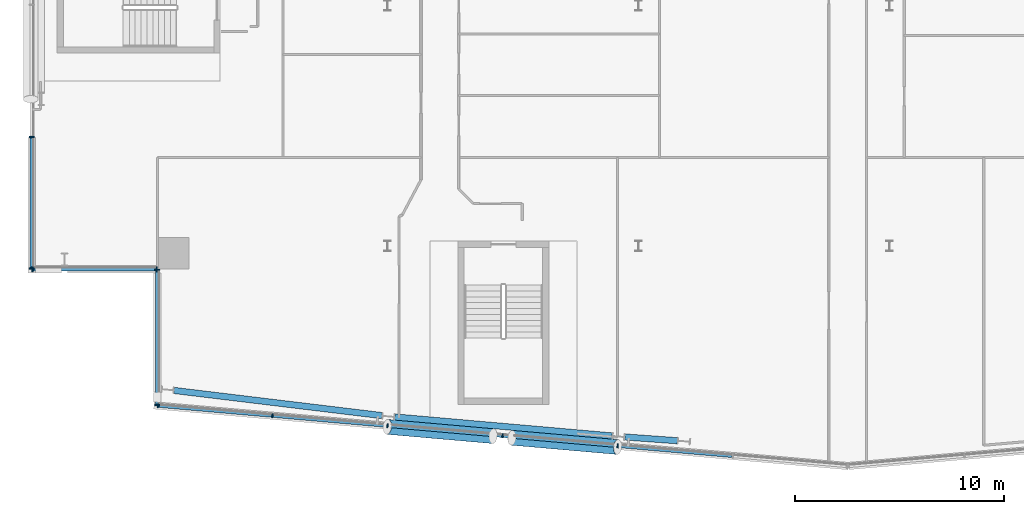
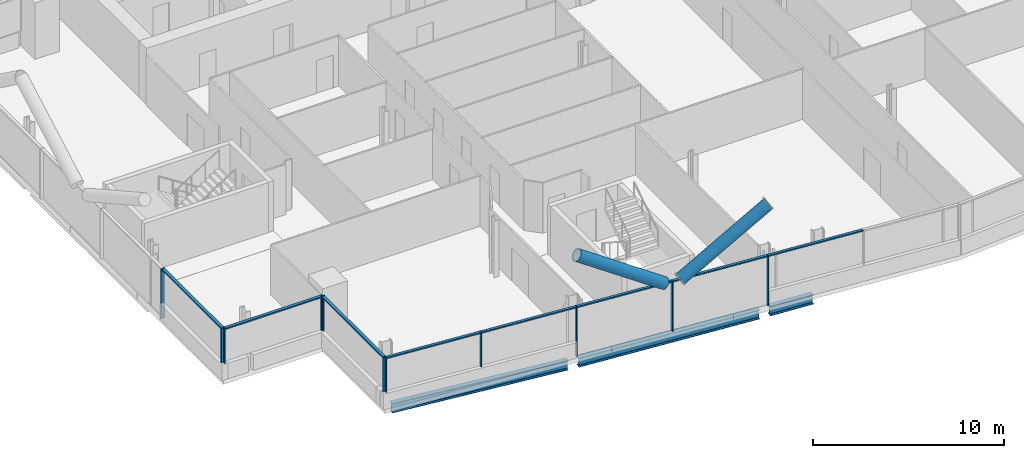
# One storey, part 6 of 26: 21 members, 3 beams, 4 elements without a shape of their own.
"""IFC4 building model written with IfcOpenShell, lengths in metres."""

from ifc_helpers import new_model, si_unit, direction, frame, origin, origin_2d, place, context, subcontext, project, spatial, rectangle, hollow_circle, i_section, extrude, material, material_profile, profile_set, type_object, element, aggregate, save


model = new_model("IFC4")

# Units and contexts
model_context = context("Model", 3, precision=1e-05, world=origin(), true_north=direction((0.0, 1.0)))
body_context = subcontext(model_context, "Body", "Model", "MODEL_VIEW")
ifc_project = project(units=[si_unit("LENGTHUNIT", "METRE"), si_unit("AREAUNIT", "SQUARE_METRE"), si_unit("VOLUMEUNIT", "CUBIC_METRE"), si_unit("PLANEANGLEUNIT", "RADIAN"), si_unit("MASSUNIT", "GRAM", prefix="KILO")], contexts=[model_context])

# Site, building, storey
site_placement = place(None, origin())
site = spatial("IfcSite", under=ifc_project, at=site_placement, CompositionType="ELEMENT")
building_placement = place(site_placement, origin())
building = spatial("IfcBuilding", under=site, at=building_placement, Name="Wharfspan Tower", CompositionType="ELEMENT")
storey_placement = place(building_placement, frame((0.0, 0.0, 173.5)))
storey = spatial("IfcBuildingStorey", under=building, at=storey_placement, Name="L42", CompositionType="ELEMENT", Elevation=173.5)

# Beams
ifc_material_1 = material(Name="Steel S355J2", Category="steel")
ifc_material_profile_1 = material_profile(ifc_material_1, i_section(OverallWidth=0.300049, OverallDepth=0.600098, WebThickness=0.015381, FlangeThickness=0.030029, FilletRadius=0.0271, at=origin_2d()))
ifc_profile_set_1 = profile_set([ifc_material_profile_1], Name="Steel S355J2")
beam_type = type_object("IfcBeamType", Name="Edge beam HEB 600", PredefinedType="SPANDREL", material=ifc_profile_set_1)
beam_1_placement = place(storey_placement, frame((13.794678, 4.600586, -0.699951), z_axis=(0.992758, -0.12013, 0.0), x_axis=(0.12013, 0.992758, 0.0)))
element("IfcBeam", 1, at=beam_1_placement, inside=storey, type_object=beam_type, Name="Edge beam S1 L42 PS1.1 to PS1.2", PredefinedType="SPANDREL", context=body_context, shape_type="SweptSolid", body=[
    extrude(i_section(OverallWidth=0.300049, OverallDepth=0.600098, WebThickness=0.015381, FlangeThickness=0.030029, FilletRadius=0.0271, at=origin_2d()), origin(), (0.0, 0.0, 1.0), 10.013184),
])
beam_2_placement = place(storey_placement, frame((24.343994, 3.334229, -0.699951), z_axis=(0.996196, -0.087146, 0.0), x_axis=(0.087146, 0.996196, 0.0)))
element("IfcBeam", 2, at=beam_2_placement, inside=storey, type_object=beam_type, Name="Edge beam S1 L42 PS1.2 to PS1.3", PredefinedType="SPANDREL", context=body_context, shape_type="SweptSolid", body=[
    extrude(i_section(OverallWidth=0.300049, OverallDepth=0.600098, WebThickness=0.015381, FlangeThickness=0.030029, FilletRadius=0.0271, at=origin_2d()), origin(), (0.0, 0.0, 1.0), 10.430176),
])
beam_3_placement = place(storey_placement, frame((35.344482, 2.376709, -0.699951), z_axis=(0.997423, -0.07175, 0.0), x_axis=(0.07175, 0.997423, 0.0)))
element("IfcBeam", 3, at=beam_3_placement, inside=storey, type_object=beam_type, Name="Edge beam S1 L42 PS1.3 to PS1.4", PredefinedType="SPANDREL", context=body_context, shape_type="SweptSolid", body=[
    extrude(i_section(OverallWidth=0.300049, OverallDepth=0.600098, WebThickness=0.015381, FlangeThickness=0.030029, FilletRadius=0.0271, at=origin_2d()), origin(), (0.0, 0.0, 1.0), 2.518066),
])

# Curtain wall, members
ifc_material_2 = material(Name="Aluminium 6063-T6", Category="aluminium")
curtain_wall_type_1 = type_object("IfcCurtainWallType", Name="CURTAIN WALL FACETED FRONT", PredefinedType="NOTDEFINED", material=ifc_material_2)
curtain_wall_1_placement = place(storey_placement, origin())
curtain_wall_1 = element("IfcCurtainWall", 4, at=curtain_wall_1_placement, inside=storey, type_object=curtain_wall_type_1, Name="Curtain wall S1", PredefinedType="NOTDEFINED")
ifc_material_profile_2 = material_profile(ifc_material_2, rectangle(XDim=0.199951, YDim=0.060059, at=origin_2d()))
ifc_profile_set_2 = profile_set([ifc_material_profile_2], Name="Aluminium 6063-T6")
member_type_1 = type_object("IfcMemberType", Name="MULLION FACETED FRONT 60x200", PredefinedType="MULLION", material=ifc_profile_set_2)
member_1_placement = place(storey_placement, frame((13.029785, 3.872559, 1.0), z_axis=(0.0, 0.0, 1.0), x_axis=(0.087156, 0.996198, 0.0)))
member_1 = element("IfcMember", 5, at=member_1_placement, type_object=member_type_1, Name="Curtain wall S1 mullion 1", PredefinedType="MULLION", context=body_context, shape_type="SweptSolid", body=[
    extrude(rectangle(XDim=0.199951, YDim=0.060059, at=origin_2d()), origin(), (0.0, 0.0, 1.0), 2.199951),
])
member_2_placement = place(storey_placement, frame((18.5, 3.393799, 1.0), z_axis=(0.0, 0.0, 1.0), x_axis=(0.087156, 0.996198, 0.0)))
member_2 = element("IfcMember", 6, at=member_2_placement, type_object=member_type_1, Name="Curtain wall S1 mullion 2", PredefinedType="MULLION", context=body_context, shape_type="SweptSolid", body=[
    extrude(rectangle(XDim=0.199951, YDim=0.060059, at=origin_2d()), origin(), (0.0, 0.0, 1.0), 2.199951),
])
member_3_placement = place(storey_placement, frame((24.0, 2.912598, 0.0), z_axis=(0.0, 0.0, 1.0), x_axis=(0.087156, 0.996198, 0.0)))
member_3 = element("IfcMember", 7, at=member_3_placement, type_object=member_type_1, Name="Curtain wall S1 mullion 3", PredefinedType="MULLION", context=body_context, shape_type="SweptSolid", body=[
    extrude(rectangle(XDim=0.199951, YDim=0.060059, at=origin_2d()), origin(), (0.0, 0.0, 1.0), 3.199951),
])
member_4_placement = place(storey_placement, frame((29.5, 2.431396, 0.0), z_axis=(0.0, 0.0, 1.0), x_axis=(0.087156, 0.996198, 0.0)))
member_4 = element("IfcMember", 8, at=member_4_placement, type_object=member_type_1, Name="Curtain wall S1 mullion 4", PredefinedType="MULLION", context=body_context, shape_type="SweptSolid", body=[
    extrude(rectangle(XDim=0.199951, YDim=0.060059, at=origin_2d()), origin(), (0.0, 0.0, 1.0), 3.199951),
])
member_5_placement = place(storey_placement, frame((35.0, 1.950195, 0.0), z_axis=(0.0, 0.0, 1.0), x_axis=(0.087156, 0.996198, 0.0)))
member_5 = element("IfcMember", 9, at=member_5_placement, type_object=member_type_1, Name="Curtain wall S1 mullion 5", PredefinedType="MULLION", context=body_context, shape_type="SweptSolid", body=[
    extrude(rectangle(XDim=0.199951, YDim=0.060059, at=origin_2d()), origin(), (0.0, 0.0, 1.0), 3.199951),
])

curtain_wall_type_2 = type_object("IfcCurtainWallType", Name="CURTAIN WALL PROW AND END", PredefinedType="NOTDEFINED", material=ifc_material_2)
curtain_wall_2_placement = place(storey_placement, origin())
curtain_wall_2 = element("IfcCurtainWall", 10, at=curtain_wall_2_placement, inside=storey, type_object=curtain_wall_type_2, Name="Curtain wall W", PredefinedType="NOTDEFINED")
ifc_material_profile_3 = material_profile(ifc_material_2, rectangle(XDim=0.23999, YDim=0.060059, at=origin_2d()))
ifc_profile_set_3 = profile_set([ifc_material_profile_3], Name="Aluminium 6063-T6")
member_type_2 = type_object("IfcMemberType", Name="MULLION PROW AND END 60x240", PredefinedType="MULLION", material=ifc_profile_set_3)
member_6_placement = place(storey_placement, frame((7.0, 16.719971, 0.0), z_axis=(0.0, 0.0, 1.0), x_axis=(1.0, 0.0, 0.0)))
member_6 = element("IfcMember", 11, at=member_6_placement, type_object=member_type_2, Name="Curtain wall W mullion 5", PredefinedType="MULLION", context=body_context, shape_type="SweptSolid", body=[
    extrude(rectangle(XDim=0.23999, YDim=0.060059, at=origin_2d()), origin(), (0.0, 0.0, 1.0), 3.199951),
])
member_7_placement = place(storey_placement, frame((7.0, 10.429932, 1.0), z_axis=(0.0, 0.0, 1.0), x_axis=(1.0, 0.0, 0.0)))
member_7 = element("IfcMember", 12, at=member_7_placement, type_object=member_type_2, Name="Curtain wall W mullion 6", PredefinedType="MULLION", context=body_context, shape_type="SweptSolid", body=[
    extrude(rectangle(XDim=0.23999, YDim=0.060059, at=origin_2d()), origin(), (0.0, 0.0, 1.0), 2.199951),
])

curtain_wall_3_placement = place(storey_placement, origin())
curtain_wall_3 = element("IfcCurtainWall", 13, at=curtain_wall_3_placement, inside=storey, type_object=curtain_wall_type_2, Name="Curtain wall NFW-H", PredefinedType="NOTDEFINED")
member_8_placement = place(storey_placement, frame((7.030029, 10.399902, 1.0), z_axis=(0.0, 0.0, 1.0), x_axis=(0.0, 1.0, 0.0)))
member_8 = element("IfcMember", 14, at=member_8_placement, type_object=member_type_2, Name="Curtain wall NFW-H mullion 1", PredefinedType="MULLION", context=body_context, shape_type="SweptSolid", body=[
    extrude(rectangle(XDim=0.23999, YDim=0.060059, at=origin_2d()), origin(), (0.0, 0.0, 1.0), 2.199951),
])
member_9_placement = place(storey_placement, frame((12.969971, 10.399902, 1.0), z_axis=(0.0, 0.0, 1.0), x_axis=(0.0, 1.0, 0.0)))
member_9 = element("IfcMember", 15, at=member_9_placement, type_object=member_type_2, Name="Curtain wall NFW-H mullion 2", PredefinedType="MULLION", context=body_context, shape_type="SweptSolid", body=[
    extrude(rectangle(XDim=0.23999, YDim=0.060059, at=origin_2d()), origin(), (0.0, 0.0, 1.0), 2.199951),
])

curtain_wall_4_placement = place(storey_placement, origin())
curtain_wall_4 = element("IfcCurtainWall", 16, at=curtain_wall_4_placement, inside=storey, type_object=curtain_wall_type_2, Name="Curtain wall NFW-V", PredefinedType="NOTDEFINED")
member_10_placement = place(storey_placement, frame((13.0, 10.370117, 1.0), z_axis=(0.0, 0.0, 1.0), x_axis=(1.0, 0.0, 0.0)))
member_10 = element("IfcMember", 17, at=member_10_placement, type_object=member_type_2, Name="Curtain wall NFW-V mullion 1", PredefinedType="MULLION", context=body_context, shape_type="SweptSolid", body=[
    extrude(rectangle(XDim=0.23999, YDim=0.060059, at=origin_2d()), origin(), (0.0, 0.0, 1.0), 2.199951),
])
member_11_placement = place(storey_placement, frame((13.0, 3.905029, 1.0), z_axis=(0.0, 0.0, 1.0), x_axis=(1.0, 0.0, 0.0)))
member_11 = element("IfcMember", 18, at=member_11_placement, type_object=member_type_2, Name="Curtain wall NFW-V mullion 2", PredefinedType="MULLION", context=body_context, shape_type="SweptSolid", body=[
    extrude(rectangle(XDim=0.23999, YDim=0.060059, at=origin_2d()), origin(), (0.0, 0.0, 1.0), 2.199951),
])

# Members
ifc_material_3 = material(Name="Steel S460NH", Category="steel")
ifc_material_profile_4 = material_profile(ifc_material_3, hollow_circle(Radius=0.355469, WallThickness=0.035889, at=origin_2d()))
ifc_profile_set_4 = profile_set([ifc_material_profile_4], Name="Steel S460NH")
member_type_3 = type_object("IfcMemberType", Name="Mega brace CHS 711x36", PredefinedType="BRACE", material=ifc_profile_set_4)
for number, where, z_axis, x_axis, name in (
    (19, (29.947021, 2.337158, 3.195801), (0.834469, -0.073006, 0.546197), (0.087156, 0.996198, -1e-06), "Mega brace S1 L42 part 2"),
    (20, (29.043213, 2.41626, 3.195801), (-0.834469, 0.073006, 0.546197), (-0.087156, -0.996198, -1e-06), "Mega brace S1 L42 part 4"),
):
    element("IfcMember", number, at=place(storey_placement, frame(where, z_axis=z_axis, x_axis=x_axis)), inside=storey, type_object=member_type_3, Name=name, PredefinedType="BRACE", context=body_context, shape_type="SweptSolid", body=[
        extrude(hollow_circle(Radius=0.355469, WallThickness=0.035889, at=origin_2d()), origin(), (0.0, 0.0, 1.0), 6.049561),
    ])

# Member
ifc_material_profile_5 = material_profile(ifc_material_2, rectangle(XDim=0.159912, YDim=0.080078, at=origin_2d()))
ifc_profile_set_5 = profile_set([ifc_material_profile_5], Name="Aluminium 6063-T6")
member_type_4 = type_object("IfcMemberType", Name="TRANSOM FACETED FRONT 80x160", PredefinedType="USERDEFINED", material=ifc_profile_set_5)
member_12_placement = place(storey_placement, frame((13.059814, 3.869873, 3.159912), z_axis=(0.996194, -0.087163, 0.0), x_axis=(0.087163, 0.996194, 0.0)))
member_12 = element("IfcMember", 21, at=member_12_placement, type_object=member_type_4, Name="Curtain wall S1 transom 1", ObjectType="TRANSOM", PredefinedType="USERDEFINED", context=body_context, shape_type="SweptSolid", body=[
    extrude(rectangle(XDim=0.159912, YDim=0.080078, at=origin_2d()), origin(), (0.0, 0.0, 1.0), 5.431152),
])

member_13_placement = place(storey_placement, frame((18.529785, 3.391357, 3.159912), z_axis=(0.996193, -0.087174, 0.0), x_axis=(0.087174, 0.996193, 0.0)))
member_13 = element("IfcMember", 22, at=member_13_placement, type_object=member_type_4, Name="Curtain wall S1 transom 2", ObjectType="TRANSOM", PredefinedType="USERDEFINED", context=body_context, shape_type="SweptSolid", body=[
    extrude(rectangle(XDim=0.159912, YDim=0.080078, at=origin_2d()), origin(), (0.0, 0.0, 1.0), 5.461182),
])

member_14_placement = place(storey_placement, frame((24.029785, 2.910156, 3.159912), z_axis=(0.996193, -0.087174, 0.0), x_axis=(0.087174, 0.996193, 0.0)))
member_14 = element("IfcMember", 23, at=member_14_placement, type_object=member_type_4, Name="Curtain wall S1 transom 3", ObjectType="TRANSOM", PredefinedType="USERDEFINED", context=body_context, shape_type="SweptSolid", body=[
    extrude(rectangle(XDim=0.159912, YDim=0.080078, at=origin_2d()), origin(), (0.0, 0.0, 1.0), 5.461182),
])

member_15_placement = place(storey_placement, frame((29.529785, 2.428955, 3.159912), z_axis=(0.996193, -0.087174, 0.0), x_axis=(0.087174, 0.996193, 0.0)))
member_15 = element("IfcMember", 24, at=member_15_placement, type_object=member_type_4, Name="Curtain wall S1 transom 4", ObjectType="TRANSOM", PredefinedType="USERDEFINED", context=body_context, shape_type="SweptSolid", body=[
    extrude(rectangle(XDim=0.159912, YDim=0.080078, at=origin_2d()), origin(), (0.0, 0.0, 1.0), 5.461182),
])

member_16_placement = place(storey_placement, frame((35.029785, 1.947754, 3.159912), z_axis=(0.996193, -0.087174, 0.0), x_axis=(0.087174, 0.996193, 0.0)))
member_16 = element("IfcMember", 25, at=member_16_placement, type_object=member_type_4, Name="Curtain wall S1 transom 5", ObjectType="TRANSOM", PredefinedType="USERDEFINED", context=body_context, shape_type="SweptSolid", body=[
    extrude(rectangle(XDim=0.159912, YDim=0.080078, at=origin_2d()), origin(), (0.0, 0.0, 1.0), 5.461182),
])

aggregate(curtain_wall_1, [member_1, member_2, member_3, member_4, member_5, member_12, member_13, member_14, member_15, member_16])

ifc_material_profile_6 = material_profile(ifc_material_2, rectangle(XDim=0.179932, YDim=0.080078, at=origin_2d()))
ifc_profile_set_6 = profile_set([ifc_material_profile_6], Name="Aluminium 6063-T6")
member_type_5 = type_object("IfcMemberType", Name="TRANSOM PROW AND END 80x180", PredefinedType="USERDEFINED", material=ifc_profile_set_6)
member_17_placement = place(storey_placement, frame((7.0, 16.689941, 3.159912), z_axis=(0.0, -1.0, 0.0), x_axis=(1.0, 0.0, 0.0)))
member_17 = element("IfcMember", 26, at=member_17_placement, type_object=member_type_5, Name="Curtain wall W transom 5", ObjectType="TRANSOM", PredefinedType="USERDEFINED", context=body_context, shape_type="SweptSolid", body=[
    extrude(rectangle(XDim=0.179932, YDim=0.080078, at=origin_2d()), origin(), (0.0, 0.0, 1.0), 6.22998),
])

aggregate(curtain_wall_2, [member_6, member_7, member_17])

member_18_placement = place(storey_placement, frame((7.060059, 10.399902, 3.159912), z_axis=(1.0, 0.0, 0.0), x_axis=(0.0, 1.0, 0.0)))
member_18 = element("IfcMember", 27, at=member_18_placement, type_object=member_type_5, Name="Curtain wall NFW-H transom 1", ObjectType="TRANSOM", PredefinedType="USERDEFINED", context=body_context, shape_type="SweptSolid", body=[
    extrude(rectangle(XDim=0.179932, YDim=0.080078, at=origin_2d()), origin(), (0.0, 0.0, 1.0), 5.879883),
])

aggregate(curtain_wall_3, [member_8, member_9, member_18])

member_19_placement = place(storey_placement, frame((13.0, 10.340088, 3.159912), z_axis=(0.0, -1.0, 0.0), x_axis=(1.0, 0.0, 0.0)))
member_19 = element("IfcMember", 28, at=member_19_placement, type_object=member_type_5, Name="Curtain wall NFW-V transom 1", ObjectType="TRANSOM", PredefinedType="USERDEFINED", context=body_context, shape_type="SweptSolid", body=[
    extrude(rectangle(XDim=0.179932, YDim=0.080078, at=origin_2d()), origin(), (0.0, 0.0, 1.0), 6.405029),
])

aggregate(curtain_wall_4, [member_10, member_11, member_19])

save(model, "model.ifc")
